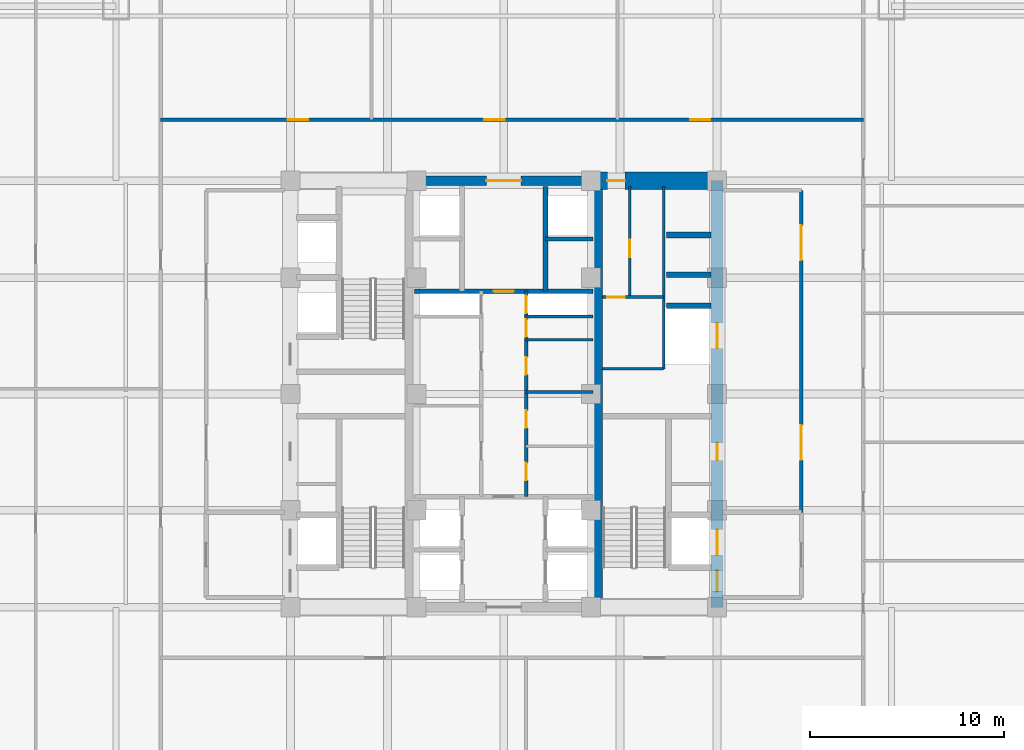
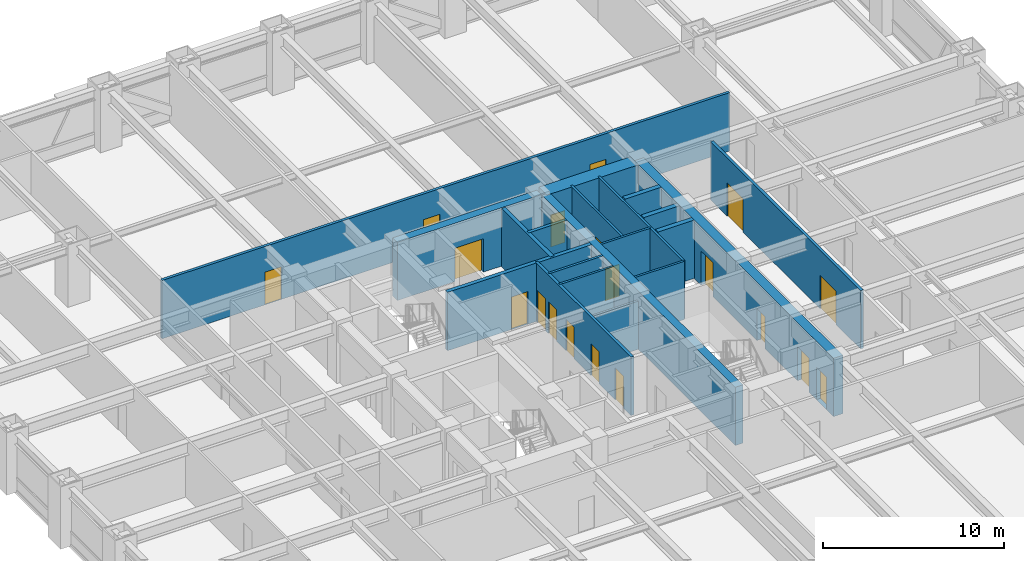
# One storey, part 26 of 32: 20 walls, 19 doors, 19 openings.
"""IFC4 building model written with IfcOpenShell, lengths in metres."""

from ifc_helpers import new_model, si_unit, direction, frame, frame_2d, origin, place, context, subcontext, project, spatial, rectangle, extrude, source, transform, mapped, material, layer, layer_set, type_object, element, fill, save


model = new_model("IFC4")

# Units and contexts
model_context = context("Model", 3, precision=1e-05, world=origin(), true_north=direction((0.0, 1.0)))
body_context = subcontext(model_context, "Body", "Model", "MODEL_VIEW")
ifc_project = project(units=[si_unit("LENGTHUNIT", "METRE"), si_unit("AREAUNIT", "SQUARE_METRE"), si_unit("VOLUMEUNIT", "CUBIC_METRE"), si_unit("PLANEANGLEUNIT", "RADIAN"), si_unit("MASSUNIT", "GRAM", prefix="KILO")], contexts=[model_context])

# Site, building, storey
site_placement = place(None, origin())
site = spatial("IfcSite", under=ifc_project, at=site_placement, CompositionType="ELEMENT")
building_placement = place(site_placement, origin())
building = spatial("IfcBuilding", under=site, at=building_placement, Name="Khorayat Bourse Tower", CompositionType="ELEMENT")
storey_placement = place(building_placement, frame((0.0, 0.0, 74.60009765625)))
storey = spatial("IfcBuildingStorey", under=building, at=storey_placement, Name="L16", CompositionType="ELEMENT", Elevation=74.60009765625)

# Wall, openings, doors
ifc_material_1 = material(Name="Concrete C60/75", Category="concrete")
ifc_layer_1 = layer(ifc_material_1, 0.60009765625)
ifc_layer_set_1 = layer_set([ifc_layer_1], Name="Concrete C60/75")
wall_type_1 = type_object("IfcWallType", Name="WAL-CORE-600", PredefinedType="SHEAR", material=ifc_layer_set_1)
shared_shape_1 = source(origin(), body_context, "Body", "SweptSolid", [
    extrude(rectangle(XDim=22.0, YDim=0.60009765625, at=frame_2d((11.0, 0.0))), origin(), (0.0, 0.0, 1.0), 3.93994140625),
])
wall_1_placement = place(storey_placement, frame((11.0, -11.0, 0.0), z_axis=(0.0, 0.0, 1.0), x_axis=(0.0, 1.0, 0.0)))
wall_1 = element("IfcWall", 1, at=wall_1_placement, inside=storey, type_object=wall_type_1, Name="L16 Core Shear Wall CORE-E", PredefinedType="SHEAR", context=body_context, shape_type="MappedRepresentation", body=[
    mapped(shared_shape_1, transform((0.0, 0.0, 0.0), scale=1.0)),
])
shared_shape_2 = source(origin(), body_context, "Body", "SweptSolid", [
    extrude(rectangle(XDim=1.10009765625, YDim=2.199951171875, at=frame_2d((0.550048828125, 1.10009765625))), frame((0.0, 0.31005859375, 0.0), z_axis=(0.0, -1.0, 0.0), x_axis=(1.0, 0.0, 0.0)), (0.0, 0.0, 1.0), 0.6201171875),
])
opening_1_placement = place(wall_1_placement, frame((0.800048828125, 0.0, 0.0)))
opening_1 = element("IfcOpeningElement", 2, at=opening_1_placement, cuts=wall_1, Name="Opening DI-01", PredefinedType="OPENING", context=body_context, shape_type="MappedRepresentation", body=[
    mapped(shared_shape_2, transform((0.0, 0.0, 0.0), scale=1.0)),
])
shared_shape_3 = source(origin(), body_context, "Body", "SweptSolid", [
    extrude(rectangle(XDim=0.89990234375, YDim=2.14990234375, at=frame_2d((0.449951171875, 1.074951171875))), frame((0.0, 0.31005859375, 0.0), z_axis=(0.0, -1.0, 0.0), x_axis=(1.0, 0.0, 0.0)), (0.0, 0.0, 1.0), 0.6201171875),
])
opening_2_placement = place(wall_1_placement, frame((7.574951171875, 0.0, 0.0)))
opening_2 = element("IfcOpeningElement", 3, at=opening_2_placement, cuts=wall_1, Name="Opening DI-06", PredefinedType="OPENING", context=body_context, shape_type="MappedRepresentation", body=[
    mapped(shared_shape_3, transform((0.0, 0.0, 0.0), scale=1.0)),
])
shared_shape_4 = source(origin(), body_context, "Body", "SweptSolid", [
    extrude(rectangle(XDim=1.300048828125, YDim=2.300048828125, at=frame_2d((0.64990234375, 1.14990234375))), frame((0.0, 0.31005859375, 0.0), z_axis=(0.0, -1.0, 0.0), x_axis=(1.0, 0.0, 0.0)), (0.0, 0.0, 1.0), 0.6201171875),
])
opening_3_placement = place(wall_1_placement, frame((2.699951171875, 0.0, 0.0)))
opening_3 = element("IfcOpeningElement", 4, at=opening_3_placement, cuts=wall_1, Name="Opening LD-02", PredefinedType="OPENING", context=body_context, shape_type="MappedRepresentation", body=[
    mapped(shared_shape_4, transform((0.0, 0.0, 0.0), scale=1.0)),
])
opening_4_placement = place(wall_1_placement, frame((13.35009765625, 0.0, 0.0)))
opening_4 = element("IfcOpeningElement", 5, at=opening_4_placement, cuts=wall_1, Name="Opening LD-02", PredefinedType="OPENING", context=body_context, shape_type="MappedRepresentation", body=[
    mapped(shared_shape_4, transform((0.0, 0.0, 0.0), scale=1.0)),
])
ifc_material_2 = material(Name="Fire-rated steel acoustic leaf", Category="steel")
door_type_1 = type_object("IfcDoorType", Name="DR-INT-STAIR-1100", OperationType="NOTDEFINED", PredefinedType="DOOR", material=ifc_material_2)
shared_shape_5 = source(origin(), body_context, "Body", "SweptSolid", [
    extrude(rectangle(XDim=1.10009765625, YDim=2.199951171875, at=frame_2d((0.550048828125, 1.10009765625))), frame((0.0, 0.02490234375, 0.0), z_axis=(0.0, -1.0, 0.0), x_axis=(1.0, 0.0, 0.0)), (0.0, 0.0, 1.0), 0.050048828125),
])
door_1_placement = place(opening_1_placement, origin())
door_1 = element("IfcDoor", 6, at=door_1_placement, inside=storey, type_object=door_type_1, Name="L16 Exit Stair 3 Door", OperationType="SINGLE_SWING_LEFT", OverallHeight=2.199951171875, OverallWidth=1.10009765625, PredefinedType="DOOR", context=body_context, shape_type="MappedRepresentation", body=[
    mapped(shared_shape_5, transform((0.0, 0.0, 0.0), scale=1.0)),
])
fill(opening_1, door_1)
ifc_material_3 = material(Name="Moisture-resistant laminate washroom door")
door_type_2 = type_object("IfcDoorType", Name="DR-INT-WC-900", OperationType="NOTDEFINED", PredefinedType="DOOR", material=ifc_material_3)
shared_shape_6 = source(origin(), body_context, "Body", "SweptSolid", [
    extrude(rectangle(XDim=0.89990234375, YDim=2.14990234375, at=frame_2d((0.449951171875, 1.074951171875))), frame((0.0, 0.02490234375, 0.0), z_axis=(0.0, -1.0, 0.0), x_axis=(1.0, 0.0, 0.0)), (0.0, 0.0, 1.0), 0.050048828125),
])
door_2_placement = place(opening_2_placement, origin())
door_2 = element("IfcDoor", 7, at=door_2_placement, inside=storey, type_object=door_type_2, Name="L16 Fiber Server Plant Room Door", OperationType="SINGLE_SWING_LEFT", OverallHeight=2.14990234375, OverallWidth=0.89990234375, PredefinedType="DOOR", context=body_context, shape_type="MappedRepresentation", body=[
    mapped(shared_shape_6, transform((0.0, 0.0, 0.0), scale=1.0)),
])
fill(opening_2, door_2)
ifc_material_4 = material(Name="Fire-rated stainless-steel sliding landing door", Category="steel")
door_type_3 = type_object("IfcDoorType", Name="DR-LIFT-FF-1300", OperationType="NOTDEFINED", PredefinedType="DOOR", material=ifc_material_4)
shared_shape_7 = source(origin(), body_context, "Body", "SweptSolid", [
    extrude(rectangle(XDim=1.300048828125, YDim=2.300048828125, at=frame_2d((0.64990234375, 1.14990234375))), frame((0.0, 0.02490234375, 0.0), z_axis=(0.0, -1.0, 0.0), x_axis=(1.0, 0.0, 0.0)), (0.0, 0.0, 1.0), 0.050048828125),
])
door_3_placement = place(opening_3_placement, origin())
door_3 = element("IfcDoor", 8, at=door_3_placement, inside=storey, type_object=door_type_3, Name="L16 Lift FFL-02 Sliding Landing Door", OperationType="SLIDING_TO_LEFT", OverallHeight=2.300048828125, OverallWidth=1.300048828125, PredefinedType="DOOR", context=body_context, shape_type="MappedRepresentation", body=[
    mapped(shared_shape_7, transform((0.0, 0.0, 0.0), scale=1.0)),
])
fill(opening_3, door_3)
door_4_placement = place(opening_4_placement, origin())
door_4 = element("IfcDoor", 9, at=door_4_placement, inside=storey, type_object=door_type_3, Name="L16 Lift SVL-01 Sliding Landing Door", OperationType="SLIDING_TO_LEFT", OverallHeight=2.300048828125, OverallWidth=1.300048828125, PredefinedType="DOOR", context=body_context, shape_type="MappedRepresentation", body=[
    mapped(shared_shape_7, transform((0.0, 0.0, 0.0), scale=1.0)),
])
fill(opening_4, door_4)

# Wall
ifc_material_5 = material(Name="Concrete C52/65", Category="concrete")
ifc_layer_2 = layer(ifc_material_5, 0.5)
ifc_layer_set_2 = layer_set([ifc_layer_2], Name="Concrete C52/65")
wall_type_2 = type_object("IfcWallType", Name="WAL-CORE-500", PredefinedType="SHEAR", material=ifc_layer_set_2)
shared_shape_8 = source(origin(), body_context, "Body", "SweptSolid", [
    extrude(rectangle(XDim=21.39990234375, YDim=0.5, at=frame_2d((10.699951171875, 0.0))), origin(), (0.0, 0.0, 1.0), 3.93994140625),
])
wall_2_placement = place(storey_placement, frame((4.85009765625, -10.699951171875, 0.0), z_axis=(0.0, 0.0, 1.0), x_axis=(0.0, 1.0, 0.0)))
element("IfcWall", 10, at=wall_2_placement, inside=storey, type_object=wall_type_2, Name="L16 Core Shear Wall PIER-E", PredefinedType="SHEAR", context=body_context, shape_type="MappedRepresentation", body=[
    mapped(shared_shape_8, transform((0.0, 0.0, 0.0), scale=1.0)),
])

# Wall, opening, door
ifc_material_6 = material(Name="Concrete C72/90", Category="concrete")
ifc_layer_3 = layer(ifc_material_6, 0.89990234375)
ifc_layer_set_3 = layer_set([ifc_layer_3], Name="Concrete C72/90")
wall_type_3 = type_object("IfcWallType", Name="WAL-CORE-900", PredefinedType="SHEAR", material=ifc_layer_set_3)
shared_shape_9 = source(origin(), body_context, "Body", "SweptSolid", [
    extrude(rectangle(XDim=5.849853515625, YDim=0.89990234375, at=frame_2d((2.9248046875, 0.0))), origin(), (0.0, 0.0, 1.0), 3.93994140625),
])
wall_3_placement = place(storey_placement, frame((4.85009765625, 11.0, 0.0), z_axis=(0.0, 0.0, 1.0), x_axis=(1.0, 0.0, 0.0)))
wall_3 = element("IfcWall", 11, at=wall_3_placement, inside=storey, type_object=wall_type_3, Name="L16 Core Shear Wall PIER-EN", PredefinedType="SHEAR", context=body_context, shape_type="MappedRepresentation", body=[
    mapped(shared_shape_9, transform((0.0, 0.0, 0.0), scale=1.0)),
])
shared_shape_10 = source(origin(), body_context, "Body", "SweptSolid", [
    extrude(rectangle(XDim=0.89990234375, YDim=2.14990234375, at=frame_2d((0.449951171875, 1.074951171875))), frame((0.0, 0.4599609375, 0.0), z_axis=(0.0, -1.0, 0.0), x_axis=(1.0, 0.0, 0.0)), (0.0, 0.0, 1.0), 0.919921875),
])
opening_5_placement = place(wall_3_placement, frame((0.5, 0.0, 0.0)))
opening_5 = element("IfcOpeningElement", 12, at=opening_5_placement, cuts=wall_3, Name="Opening DI-06", PredefinedType="OPENING", context=body_context, shape_type="MappedRepresentation", body=[
    mapped(shared_shape_10, transform((0.0, 0.0, 0.0), scale=1.0)),
])
door_5_placement = place(opening_5_placement, origin())
door_5 = element("IfcDoor", 13, at=door_5_placement, inside=storey, type_object=door_type_2, Name="L16 Core Washroom Lobby Door", OperationType="SINGLE_SWING_LEFT", OverallHeight=2.14990234375, OverallWidth=0.89990234375, PredefinedType="DOOR", context=body_context, shape_type="MappedRepresentation", body=[
    mapped(shared_shape_6, transform((0.0, 0.0, 0.0), scale=1.0)),
])
fill(opening_5, door_5)

shared_shape_11 = source(origin(), body_context, "Body", "SweptSolid", [
    extrude(rectangle(XDim=9.2001953125, YDim=0.5, at=frame_2d((4.60009765625, 0.0))), origin(), (0.0, 0.0, 1.0), 3.93994140625),
])
wall_4_placement = place(storey_placement, frame((-4.60009765625, 11.0, 0.0), z_axis=(0.0, 0.0, 1.0), x_axis=(1.0, 0.0, 0.0)))
wall_4 = element("IfcWall", 14, at=wall_4_placement, inside=storey, type_object=wall_type_2, Name="L16 Core Shear Wall CORE-N", PredefinedType="SHEAR", context=body_context, shape_type="MappedRepresentation", body=[
    mapped(shared_shape_11, transform((0.0, 0.0, 0.0), scale=1.0)),
])
shared_shape_12 = source(origin(), body_context, "Body", "SweptSolid", [
    extrude(rectangle(XDim=1.800048828125, YDim=2.25, at=frame_2d((0.89990234375, 1.125))), frame((0.0, 0.260009765625, 0.0), z_axis=(0.0, -1.0, 0.0), x_axis=(1.0, 0.0, 0.0)), (0.0, 0.0, 1.0), 0.52001953125),
])
opening_6_placement = place(wall_4_placement, frame((3.699951171875, 0.0, 0.0)))
opening_6 = element("IfcOpeningElement", 15, at=opening_6_placement, cuts=wall_4, Name="Opening DI-03", PredefinedType="OPENING", context=body_context, shape_type="MappedRepresentation", body=[
    mapped(shared_shape_12, transform((0.0, 0.0, 0.0), scale=1.0)),
])
ifc_material_7 = material(Name="Fire-rated hardwood vision-panel double leaf", Category="wood")
door_type_4 = type_object("IfcDoorType", Name="DR-INT-CORR-1800", OperationType="NOTDEFINED", PredefinedType="DOOR", material=ifc_material_7)
shared_shape_13 = source(origin(), body_context, "Body", "SweptSolid", [
    extrude(rectangle(XDim=1.800048828125, YDim=2.25, at=frame_2d((0.89990234375, 1.125))), frame((0.0, 0.02490234375, 0.0), z_axis=(0.0, -1.0, 0.0), x_axis=(1.0, 0.0, 0.0)), (0.0, 0.0, 1.0), 0.050048828125),
])
door_6_placement = place(opening_6_placement, origin())
door_6 = element("IfcDoor", 16, at=door_6_placement, inside=storey, type_object=door_type_4, Name="L16 Mid-Rise Lift Lobby Door", OperationType="SINGLE_SWING_RIGHT", OverallHeight=2.25, OverallWidth=1.800048828125, PredefinedType="DOOR", context=body_context, shape_type="MappedRepresentation", body=[
    mapped(shared_shape_13, transform((0.0, 0.0, 0.0), scale=1.0)),
])
fill(opening_6, door_6)

# Walls
ifc_material_8 = material(Name="Concrete C50/60", Category="concrete")
ifc_layer_4 = layer(ifc_material_8, 0.300048828125)
ifc_layer_set_4 = layer_set([ifc_layer_4], Name="Concrete C50/60")
wall_type_4 = type_object("IfcWallType", Name="WAL-SHAFT-300", PredefinedType="SHEAR", material=ifc_layer_set_4)
shared_shape_14 = source(origin(), body_context, "Body", "SweptSolid", [
    extrude(rectangle(XDim=2.300048828125, YDim=0.300048828125, at=frame_2d((1.14990234375, 0.0))), origin(), (0.0, 0.0, 1.0), 3.93994140625),
])
for number, where, z_axis, x_axis, name in (
    (17, (8.39990234375, 4.550048828125, 0.0), (0.0, 0.0, 1.0), (1.0, 0.0, 0.0), "L16 Partition WAL-L16-EPIER-SVLN"),
    (18, (8.39990234375, 6.14990234375, 0.0), (0.0, 0.0, 1.0), (1.0, 0.0, 0.0), "L16 Partition WAL-L16-EPIER-H3S"),
    (19, (8.39990234375, 8.199951171875, 0.0), (0.0, 0.0, 1.0), (1.0, 0.0, 0.0), "L16 Partition WAL-L16-EPIER-H34"),
):
    element("IfcWall", number, at=place(storey_placement, frame(where, z_axis=z_axis, x_axis=x_axis)), inside=storey, type_object=wall_type_4, Name=name, PredefinedType="SHEAR", context=body_context, shape_type="MappedRepresentation", body=[
        mapped(shared_shape_14, transform((0.0, 0.0, 0.0), scale=1.0)),
    ])
ifc_material_9 = material(Name="Moisture-resistant masonry partition", Category="masonry")
ifc_layer_5 = layer(ifc_material_9, 0.139892578125)
ifc_layer_set_5 = layer_set([ifc_layer_5], Name="Moisture-resistant masonry partition")
wall_type_5 = type_object("IfcWallType", Name="WAL-PART-WET-140", PredefinedType="PARTITIONING", material=ifc_layer_set_5)
shared_shape_15 = source(origin(), body_context, "Body", "SweptSolid", [
    extrude(rectangle(XDim=9.39990234375, YDim=0.139892578125, at=frame_2d((4.699951171875, 0.0))), origin(), (0.0, 0.0, 1.0), 3.93994140625),
])
wall_5_placement = place(storey_placement, frame((8.25, 1.300048828125, 0.0), z_axis=(0.0, 0.0, 1.0), x_axis=(0.0, 1.0, 0.0)))
element("IfcWall", 20, at=wall_5_placement, inside=storey, type_object=wall_type_5, Name="L16 Partition WAL-L16-ECORE-E", PredefinedType="PARTITIONING", context=body_context, shape_type="MappedRepresentation", body=[
    mapped(shared_shape_15, transform((0.0, 0.0, 0.0), scale=1.0)),
])
shared_shape_16 = source(origin(), body_context, "Body", "SweptSolid", [
    extrude(rectangle(XDim=3.14990234375, YDim=0.139892578125, at=frame_2d((1.574951171875, 0.0))), origin(), (0.0, 0.0, 1.0), 3.93994140625),
])
wall_6_placement = place(storey_placement, frame((5.10009765625, 1.300048828125, 0.0), z_axis=(0.0, 0.0, 1.0), x_axis=(1.0, 0.0, 0.0)))
element("IfcWall", 21, at=wall_6_placement, inside=storey, type_object=wall_type_5, Name="L16 Partition WAL-L16-ECORE-S", PredefinedType="PARTITIONING", context=body_context, shape_type="MappedRepresentation", body=[
    mapped(shared_shape_16, transform((0.0, 0.0, 0.0), scale=1.0)),
])

# Wall, opening, door
wall_7_placement = place(storey_placement, frame((5.10009765625, 5.0, 0.0), z_axis=(0.0, 0.0, 1.0), x_axis=(1.0, 0.0, 0.0)))
wall_7 = element("IfcWall", 22, at=wall_7_placement, inside=storey, type_object=wall_type_5, Name="L16 Partition WAL-L16-ECW-BOT", PredefinedType="PARTITIONING", context=body_context, shape_type="MappedRepresentation", body=[
    mapped(shared_shape_16, transform((0.0, 0.0, 0.0), scale=1.0)),
])
shared_shape_17 = source(origin(), body_context, "Body", "SweptSolid", [
    extrude(rectangle(XDim=0.89990234375, YDim=2.14990234375, at=frame_2d((0.449951171875, 1.074951171875))), frame((0.0, 0.079833984375, 0.0), z_axis=(0.0, -1.0, 0.0), x_axis=(1.0, 0.0, 0.0)), (0.0, 0.0, 1.0), 0.159912109375),
])
opening_7_placement = place(wall_7_placement, frame((0.25, 0.0, 0.0)))
opening_7 = element("IfcOpeningElement", 23, at=opening_7_placement, cuts=wall_7, Name="Opening DI-06", PredefinedType="OPENING", context=body_context, shape_type="MappedRepresentation", body=[
    mapped(shared_shape_17, transform((0.0, 0.0, 0.0), scale=1.0)),
])
door_7_placement = place(opening_7_placement, origin())
door_7 = element("IfcDoor", 24, at=door_7_placement, inside=storey, type_object=door_type_2, Name="L16 Shared Washroom Door", OperationType="SINGLE_SWING_LEFT", OverallHeight=2.14990234375, OverallWidth=0.89990234375, PredefinedType="DOOR", context=body_context, shape_type="MappedRepresentation", body=[
    mapped(shared_shape_6, transform((0.0, 0.0, 0.0), scale=1.0)),
])
fill(opening_7, door_7)

# Wall, openings, doors
ifc_material_10 = material(Name="Gypsum plasterboard acoustic stud wall")
ifc_layer_6 = layer(ifc_material_10, 0.179931640625)
ifc_layer_set_6 = layer_set([ifc_layer_6], Name="Gypsum plasterboard acoustic stud wall")
wall_type_6 = type_object("IfcWallType", Name="WAL-PART-CORR-180", PredefinedType="PARTITIONING", material=ifc_layer_set_6)
shared_shape_18 = source(origin(), body_context, "Body", "SweptSolid", [
    extrude(rectangle(XDim=16.60009765625, YDim=0.179931640625, at=frame_2d((8.300048828125, 0.0))), origin(), (0.0, 0.0, 1.0), 3.93994140625),
])
wall_8_placement = place(storey_placement, frame((15.35009765625, -6.10009765625, 0.0), z_axis=(0.0, 0.0, 1.0), x_axis=(0.0, 1.0, 0.0)))
wall_8 = element("IfcWall", 25, at=wall_8_placement, inside=storey, type_object=wall_type_6, Name="L16 Partition WAL-L16-ELOB-E", PredefinedType="PARTITIONING", context=body_context, shape_type="MappedRepresentation", body=[
    mapped(shared_shape_18, transform((0.0, 0.0, 0.0), scale=1.0)),
])
shared_shape_19 = source(origin(), body_context, "Body", "SweptSolid", [
    extrude(rectangle(XDim=1.800048828125, YDim=2.25, at=frame_2d((0.89990234375, 1.125))), frame((0.0, 0.099853515625, 0.0), z_axis=(0.0, -1.0, 0.0), x_axis=(1.0, 0.0, 0.0)), (0.0, 0.0, 1.0), 0.199951171875),
])
opening_8_placement = place(wall_8_placement, frame((2.699951171875, 0.0, 0.0)))
opening_8 = element("IfcOpeningElement", 26, at=opening_8_placement, cuts=wall_8, Name="Opening DI-03", PredefinedType="OPENING", context=body_context, shape_type="MappedRepresentation", body=[
    mapped(shared_shape_19, transform((0.0, 0.0, 0.0), scale=1.0)),
])
opening_9_placement = place(wall_8_placement, frame((13.0, 0.0, 0.0)))
opening_9 = element("IfcOpeningElement", 27, at=opening_9_placement, cuts=wall_8, Name="Opening DI-03", PredefinedType="OPENING", context=body_context, shape_type="MappedRepresentation", body=[
    mapped(shared_shape_19, transform((0.0, 0.0, 0.0), scale=1.0)),
])
door_8_placement = place(opening_8_placement, origin())
door_8 = element("IfcDoor", 28, at=door_8_placement, inside=storey, type_object=door_type_4, Name="L16 East Core Lobby South Door", OperationType="SINGLE_SWING_RIGHT", OverallHeight=2.25, OverallWidth=1.800048828125, PredefinedType="DOOR", context=body_context, shape_type="MappedRepresentation", body=[
    mapped(shared_shape_13, transform((0.0, 0.0, 0.0), scale=1.0)),
])
fill(opening_8, door_8)
door_9_placement = place(opening_9_placement, origin())
door_9 = element("IfcDoor", 29, at=door_9_placement, inside=storey, type_object=door_type_4, Name="L16 East Core Lobby North Door", OperationType="SINGLE_SWING_LEFT", OverallHeight=2.25, OverallWidth=1.800048828125, PredefinedType="DOOR", context=body_context, shape_type="MappedRepresentation", body=[
    mapped(shared_shape_13, transform((0.0, 0.0, 0.0), scale=1.0)),
])
fill(opening_9, door_9)

# Walls
ifc_material_11 = material(Name="Gypsum plasterboard twin-frame partition")
ifc_layer_7 = layer(ifc_material_11, 0.14990234375)
ifc_layer_set_7 = layer_set([ifc_layer_7], Name="Gypsum plasterboard twin-frame partition")
wall_type_7 = type_object("IfcWallType", Name="WAL-PART-SUITE-150", PredefinedType="PARTITIONING", material=ifc_layer_set_7)
shared_shape_20 = source(origin(), body_context, "Body", "SweptSolid", [
    extrude(rectangle(XDim=3.4501953125, YDim=0.14990234375, at=frame_2d((1.72509765625, 0.0))), origin(), (0.0, 0.0, 1.0), 3.93994140625),
])
wall_9_placement = place(storey_placement, frame((1.14990234375, 4.0, 0.0), z_axis=(0.0, 0.0, 1.0), x_axis=(1.0, 0.0, 0.0)))
element("IfcWall", 30, at=wall_9_placement, inside=storey, type_object=wall_type_7, Name="L16 Partition WAL-L16-CRSE-S", PredefinedType="PARTITIONING", context=body_context, shape_type="MappedRepresentation", body=[
    mapped(shared_shape_20, transform((0.0, 0.0, 0.0), scale=1.0)),
])
shared_shape_21 = source(origin(), body_context, "Body", "SweptSolid", [
    extrude(rectangle(XDim=5.39990234375, YDim=0.25, at=frame_2d((2.699951171875, 0.0))), origin(), (0.0, 0.0, 1.0), 3.93994140625),
])
wall_10_placement = place(storey_placement, frame((2.14990234375, 5.300048828125, 0.0), z_axis=(0.0, 0.0, 1.0), x_axis=(0.0, 1.0, 0.0)))
element("IfcWall", 31, at=wall_10_placement, inside=storey, type_object=wall_type_4, Name="L16 Partition WAL-L16-B2-E", PredefinedType="SHEAR", context=body_context, shape_type="MappedRepresentation", body=[
    mapped(shared_shape_21, transform((0.0, 0.0, 0.0), scale=1.0)),
])
shared_shape_22 = source(origin(), body_context, "Body", "SweptSolid", [
    extrude(rectangle(XDim=2.4501953125, YDim=0.199951171875, at=frame_2d((1.22509765625, 0.0))), origin(), (0.0, 0.0, 1.0), 3.93994140625),
])
wall_11_placement = place(storey_placement, frame((2.14990234375, 8.0, 0.0), z_axis=(0.0, 0.0, 1.0), x_axis=(1.0, 0.0, 0.0)))
element("IfcWall", 32, at=wall_11_placement, inside=storey, type_object=wall_type_4, Name="L16 Partition WAL-L16-B2-ME", PredefinedType="SHEAR", context=body_context, shape_type="MappedRepresentation", body=[
    mapped(shared_shape_22, transform((0.0, 0.0, 0.0), scale=1.0)),
])

# Wall, opening, door
shared_shape_23 = source(origin(), body_context, "Body", "SweptSolid", [
    extrude(rectangle(XDim=9.2001953125, YDim=0.25, at=frame_2d((4.60009765625, 0.0))), origin(), (0.0, 0.0, 1.0), 3.93994140625),
])
wall_12_placement = place(storey_placement, frame((-4.60009765625, 5.300048828125, 0.0), z_axis=(0.0, 0.0, 1.0), x_axis=(1.0, 0.0, 0.0)))
wall_12 = element("IfcWall", 33, at=wall_12_placement, inside=storey, type_object=wall_type_4, Name="L16 Partition WAL-L16-B2-S", PredefinedType="SHEAR", context=body_context, shape_type="MappedRepresentation", body=[
    mapped(shared_shape_23, transform((0.0, 0.0, 0.0), scale=1.0)),
])
shared_shape_24 = source(origin(), body_context, "Body", "SweptSolid", [
    extrude(rectangle(XDim=1.050048828125, YDim=2.199951171875, at=frame_2d((0.52490234375, 1.10009765625))), frame((0.0, 0.135009765625, 0.0), z_axis=(0.0, -1.0, 0.0), x_axis=(1.0, 0.0, 0.0)), (0.0, 0.0, 1.0), 0.27001953125),
])
opening_10_placement = place(wall_12_placement, frame((4.074951171875, 0.0, 0.0)))
opening_10 = element("IfcOpeningElement", 34, at=opening_10_placement, cuts=wall_12, Name="Opening DI-04", PredefinedType="OPENING", context=body_context, shape_type="MappedRepresentation", body=[
    mapped(shared_shape_24, transform((0.0, 0.0, 0.0), scale=1.0)),
])
ifc_material_12 = material(Name="Fire-rated oak veneer suite entrance door")
door_type_5 = type_object("IfcDoorType", Name="DR-INT-SUITE-1050", OperationType="NOTDEFINED", PredefinedType="DOOR", material=ifc_material_12)
shared_shape_25 = source(origin(), body_context, "Body", "SweptSolid", [
    extrude(rectangle(XDim=1.050048828125, YDim=2.199951171875, at=frame_2d((0.52490234375, 1.10009765625))), frame((0.0, 0.02490234375, 0.0), z_axis=(0.0, -1.0, 0.0), x_axis=(1.0, 0.0, 0.0)), (0.0, 0.0, 1.0), 0.050048828125),
])
door_10_placement = place(opening_10_placement, origin())
door_10 = element("IfcDoor", 35, at=door_10_placement, inside=storey, type_object=door_type_5, Name="L16 Core Spine North Door", OperationType="SINGLE_SWING_RIGHT", OverallHeight=2.199951171875, OverallWidth=1.050048828125, PredefinedType="DOOR", context=body_context, shape_type="MappedRepresentation", body=[
    mapped(shared_shape_25, transform((0.0, 0.0, 0.0), scale=1.0)),
])
fill(opening_10, door_10)

# Wall
shared_shape_26 = source(origin(), body_context, "Body", "SweptSolid", [
    extrude(rectangle(XDim=3.4501953125, YDim=0.139892578125, at=frame_2d((1.72509765625, 0.0))), origin(), (0.0, 0.0, 1.0), 3.93994140625),
])
wall_13_placement = place(storey_placement, frame((1.14990234375, 2.800048828125, 0.0), z_axis=(0.0, 0.0, 1.0), x_axis=(1.0, 0.0, 0.0)))
element("IfcWall", 36, at=wall_13_placement, inside=storey, type_object=wall_type_5, Name="L16 Partition WAL-L16-CME-D3", PredefinedType="PARTITIONING", context=body_context, shape_type="MappedRepresentation", body=[
    mapped(shared_shape_26, transform((0.0, 0.0, 0.0), scale=1.0)),
])

# Wall, openings, doors
shared_shape_27 = source(origin(), body_context, "Body", "SweptSolid", [
    extrude(rectangle(XDim=10.60009765625, YDim=0.179931640625, at=frame_2d((5.300048828125, 0.0))), origin(), (0.0, 0.0, 1.0), 3.93994140625),
])
wall_14_placement = place(storey_placement, frame((1.14990234375, -5.300048828125, 0.0), z_axis=(0.0, 0.0, 1.0), x_axis=(0.0, 1.0, 0.0)))
wall_14 = element("IfcWall", 37, at=wall_14_placement, inside=storey, type_object=wall_type_6, Name="L16 Partition WAL-L16-CME-L", PredefinedType="PARTITIONING", context=body_context, shape_type="MappedRepresentation", body=[
    mapped(shared_shape_27, transform((0.0, 0.0, 0.0), scale=1.0)),
])
shared_shape_28 = source(origin(), body_context, "Body", "SweptSolid", [
    extrude(rectangle(XDim=0.89990234375, YDim=2.14990234375, at=frame_2d((0.449951171875, 1.074951171875))), frame((0.0, 0.099853515625, 0.0), z_axis=(0.0, -1.0, 0.0), x_axis=(1.0, 0.0, 0.0)), (0.0, 0.0, 1.0), 0.199951171875),
])
opening_11_placement = place(wall_14_placement, frame((0.85009765625, 0.0, 0.0)))
opening_11 = element("IfcOpeningElement", 38, at=opening_11_placement, cuts=wall_14, Name="Opening DI-06", PredefinedType="OPENING", context=body_context, shape_type="MappedRepresentation", body=[
    mapped(shared_shape_28, transform((0.0, 0.0, 0.0), scale=1.0)),
])
opening_12_placement = place(wall_14_placement, frame((3.550048828125, 0.0, 0.0)))
opening_12 = element("IfcOpeningElement", 39, at=opening_12_placement, cuts=wall_14, Name="Opening DI-06", PredefinedType="OPENING", context=body_context, shape_type="MappedRepresentation", body=[
    mapped(shared_shape_28, transform((0.0, 0.0, 0.0), scale=1.0)),
])
opening_13_placement = place(wall_14_placement, frame((6.300048828125, 0.0, 0.0)))
opening_13 = element("IfcOpeningElement", 40, at=opening_13_placement, cuts=wall_14, Name="Opening DI-06", PredefinedType="OPENING", context=body_context, shape_type="MappedRepresentation", body=[
    mapped(shared_shape_28, transform((0.0, 0.0, 0.0), scale=1.0)),
])
opening_14_placement = place(wall_14_placement, frame((8.25, 0.0, 0.0)))
opening_14 = element("IfcOpeningElement", 41, at=opening_14_placement, cuts=wall_14, Name="Opening DI-06", PredefinedType="OPENING", context=body_context, shape_type="MappedRepresentation", body=[
    mapped(shared_shape_28, transform((0.0, 0.0, 0.0), scale=1.0)),
])
opening_15_placement = place(wall_14_placement, frame((9.47509765625, 0.0, 0.0)))
opening_15 = element("IfcOpeningElement", 42, at=opening_15_placement, cuts=wall_14, Name="Opening DI-06", PredefinedType="OPENING", context=body_context, shape_type="MappedRepresentation", body=[
    mapped(shared_shape_28, transform((0.0, 0.0, 0.0), scale=1.0)),
])
door_11_placement = place(opening_11_placement, origin())
door_11 = element("IfcDoor", 43, at=door_11_placement, inside=storey, type_object=door_type_2, Name="L16 Female Core Washroom Door", OperationType="SINGLE_SWING_RIGHT", OverallHeight=2.14990234375, OverallWidth=0.89990234375, PredefinedType="DOOR", context=body_context, shape_type="MappedRepresentation", body=[
    mapped(shared_shape_6, transform((0.0, 0.0, 0.0), scale=1.0)),
])
fill(opening_11, door_11)
door_12_placement = place(opening_12_placement, origin())
door_12 = element("IfcDoor", 44, at=door_12_placement, inside=storey, type_object=door_type_2, Name="L16 Comms Patch Room Door", OperationType="SINGLE_SWING_LEFT", OverallHeight=2.14990234375, OverallWidth=0.89990234375, PredefinedType="DOOR", context=body_context, shape_type="MappedRepresentation", body=[
    mapped(shared_shape_6, transform((0.0, 0.0, 0.0), scale=1.0)),
])
fill(opening_12, door_12)
door_13_placement = place(opening_13_placement, origin())
door_13 = element("IfcDoor", 45, at=door_13_placement, inside=storey, type_object=door_type_2, Name="L16 Janitor Cupboard Door", OperationType="SINGLE_SWING_RIGHT", OverallHeight=2.14990234375, OverallWidth=0.89990234375, PredefinedType="DOOR", context=body_context, shape_type="MappedRepresentation", body=[
    mapped(shared_shape_6, transform((0.0, 0.0, 0.0), scale=1.0)),
])
fill(opening_13, door_13)
door_14_placement = place(opening_14_placement, origin())
door_14 = element("IfcDoor", 46, at=door_14_placement, inside=storey, type_object=door_type_2, Name="L16 Fire Valve Plant Room Door", OperationType="SINGLE_SWING_LEFT", OverallHeight=2.14990234375, OverallWidth=0.89990234375, PredefinedType="DOOR", context=body_context, shape_type="MappedRepresentation", body=[
    mapped(shared_shape_6, transform((0.0, 0.0, 0.0), scale=1.0)),
])
fill(opening_14, door_14)
door_15_placement = place(opening_15_placement, origin())
door_15 = element("IfcDoor", 47, at=door_15_placement, inside=storey, type_object=door_type_2, Name="L16 East Core Riser Door", OperationType="SINGLE_SWING_RIGHT", OverallHeight=2.14990234375, OverallWidth=0.89990234375, PredefinedType="DOOR", context=body_context, shape_type="MappedRepresentation", body=[
    mapped(shared_shape_6, transform((0.0, 0.0, 0.0), scale=1.0)),
])
fill(opening_15, door_15)

shared_shape_29 = source(origin(), body_context, "Body", "SweptSolid", [
    extrude(rectangle(XDim=36.25, YDim=0.179931640625, at=frame_2d((18.125, 0.0))), origin(), (0.0, 0.0, 1.0), 3.93994140625),
])
wall_15_placement = place(storey_placement, frame((-17.699951171875, 14.14990234375, 0.0), z_axis=(0.0, 0.0, 1.0), x_axis=(1.0, 0.0, 0.0)))
wall_15 = element("IfcWall", 48, at=wall_15_placement, inside=storey, type_object=wall_type_6, Name="L16 Partition WAL-L16-NCORR", PredefinedType="PARTITIONING", context=body_context, shape_type="MappedRepresentation", body=[
    mapped(shared_shape_29, transform((0.0, 0.0, 0.0), scale=1.0)),
])
shared_shape_30 = source(origin(), body_context, "Body", "SweptSolid", [
    extrude(rectangle(XDim=1.050048828125, YDim=2.199951171875, at=frame_2d((0.52490234375, 1.10009765625))), frame((0.0, 0.099853515625, 0.0), z_axis=(0.0, -1.0, 0.0), x_axis=(1.0, 0.0, 0.0)), (0.0, 0.0, 1.0), 0.199951171875),
])
opening_16_placement = place(wall_15_placement, frame((6.5625, 0.0, 0.0)))
opening_16 = element("IfcOpeningElement", 49, at=opening_16_placement, cuts=wall_15, Name="Opening DI-04", PredefinedType="OPENING", context=body_context, shape_type="MappedRepresentation", body=[
    mapped(shared_shape_30, transform((0.0, 0.0, 0.0), scale=1.0)),
])
opening_17_placement = place(wall_15_placement, frame((16.693603515625, 0.0, 0.0)))
opening_17 = element("IfcOpeningElement", 50, at=opening_17_placement, cuts=wall_15, Name="Opening DI-04", PredefinedType="OPENING", context=body_context, shape_type="MappedRepresentation", body=[
    mapped(shared_shape_30, transform((0.0, 0.0, 0.0), scale=1.0)),
])
opening_18_placement = place(wall_15_placement, frame((27.30615234375, 0.0, 0.0)))
opening_18 = element("IfcOpeningElement", 51, at=opening_18_placement, cuts=wall_15, Name="Opening DI-04", PredefinedType="OPENING", context=body_context, shape_type="MappedRepresentation", body=[
    mapped(shared_shape_30, transform((0.0, 0.0, 0.0), scale=1.0)),
])
door_16_placement = place(opening_16_placement, origin())
door_16 = element("IfcDoor", 52, at=door_16_placement, inside=storey, type_object=door_type_5, Name="L16 Issuer Listing Showroom N1 Door", OperationType="SINGLE_SWING_RIGHT", OverallHeight=2.199951171875, OverallWidth=1.050048828125, PredefinedType="DOOR", context=body_context, shape_type="MappedRepresentation", body=[
    mapped(shared_shape_25, transform((0.0, 0.0, 0.0), scale=1.0)),
])
fill(opening_16, door_16)
door_17_placement = place(opening_17_placement, origin())
door_17 = element("IfcDoor", 53, at=door_17_placement, inside=storey, type_object=door_type_5, Name="L16 Floor Reception Concierge N2 Door", OperationType="SINGLE_SWING_LEFT", OverallHeight=2.199951171875, OverallWidth=1.050048828125, PredefinedType="DOOR", context=body_context, shape_type="MappedRepresentation", body=[
    mapped(shared_shape_25, transform((0.0, 0.0, 0.0), scale=1.0)),
])
fill(opening_17, door_17)
door_18_placement = place(opening_18_placement, origin())
door_18 = element("IfcDoor", 54, at=door_18_placement, inside=storey, type_object=door_type_5, Name="L16 Equities Trading Desk N3 Door", OperationType="SINGLE_SWING_RIGHT", OverallHeight=2.199951171875, OverallWidth=1.050048828125, PredefinedType="DOOR", context=body_context, shape_type="MappedRepresentation", body=[
    mapped(shared_shape_25, transform((0.0, 0.0, 0.0), scale=1.0)),
])
fill(opening_18, door_18)

# Wall
shared_shape_31 = source(origin(), body_context, "Body", "SweptSolid", [
    extrude(rectangle(XDim=3.4501953125, YDim=0.139892578125, at=frame_2d((1.72509765625, 0.0))), origin(), (0.0, 0.0, 1.0), 3.244873046875),
])
wall_16_placement = place(storey_placement, frame((1.14990234375, 0.10009765625, 0.0), z_axis=(0.0, 0.0, 1.0), x_axis=(1.0, 0.0, 0.0)))
element("IfcWall", 55, at=wall_16_placement, inside=storey, type_object=wall_type_5, Name="L16 Partition WAL-L16-CME-D2", PredefinedType="PARTITIONING", context=body_context, shape_type="MappedRepresentation", body=[
    mapped(shared_shape_31, transform((0.0, 0.0, 0.0), scale=1.0)),
])

# Wall, opening, door
shared_shape_32 = source(origin(), body_context, "Body", "SweptSolid", [
    extrude(rectangle(XDim=5.699951171875, YDim=0.139892578125, at=frame_2d((2.85009765625, 0.0))), origin(), (0.0, 0.0, 1.0), 3.93994140625),
])
wall_17_placement = place(storey_placement, frame((6.5, 5.0, 0.0), z_axis=(0.0, 0.0, 1.0), x_axis=(0.0, 1.0, 0.0)))
wall_17 = element("IfcWall", 56, at=wall_17_placement, inside=storey, type_object=wall_type_5, Name="L16 Partition WAL-L16-ECW-MID", PredefinedType="PARTITIONING", context=body_context, shape_type="MappedRepresentation", body=[
    mapped(shared_shape_32, transform((0.0, 0.0, 0.0), scale=1.0)),
])
opening_19_placement = place(wall_17_placement, frame((2.050048828125, 0.0, 0.0)))
opening_19 = element("IfcOpeningElement", 57, at=opening_19_placement, cuts=wall_17, Name="Opening DI-06", PredefinedType="OPENING", context=body_context, shape_type="MappedRepresentation", body=[
    mapped(shared_shape_17, transform((0.0, 0.0, 0.0), scale=1.0)),
])
door_19_placement = place(opening_19_placement, origin())
door_19 = element("IfcDoor", 58, at=door_19_placement, inside=storey, type_object=door_type_2, Name="L16 Accessible WC Door", OperationType="SINGLE_SWING_RIGHT", OverallHeight=2.14990234375, OverallWidth=0.89990234375, PredefinedType="DOOR", context=body_context, shape_type="MappedRepresentation", body=[
    mapped(shared_shape_6, transform((0.0, 0.0, 0.0), scale=1.0)),
])
fill(opening_19, door_19)

save(model, "model.ifc")
